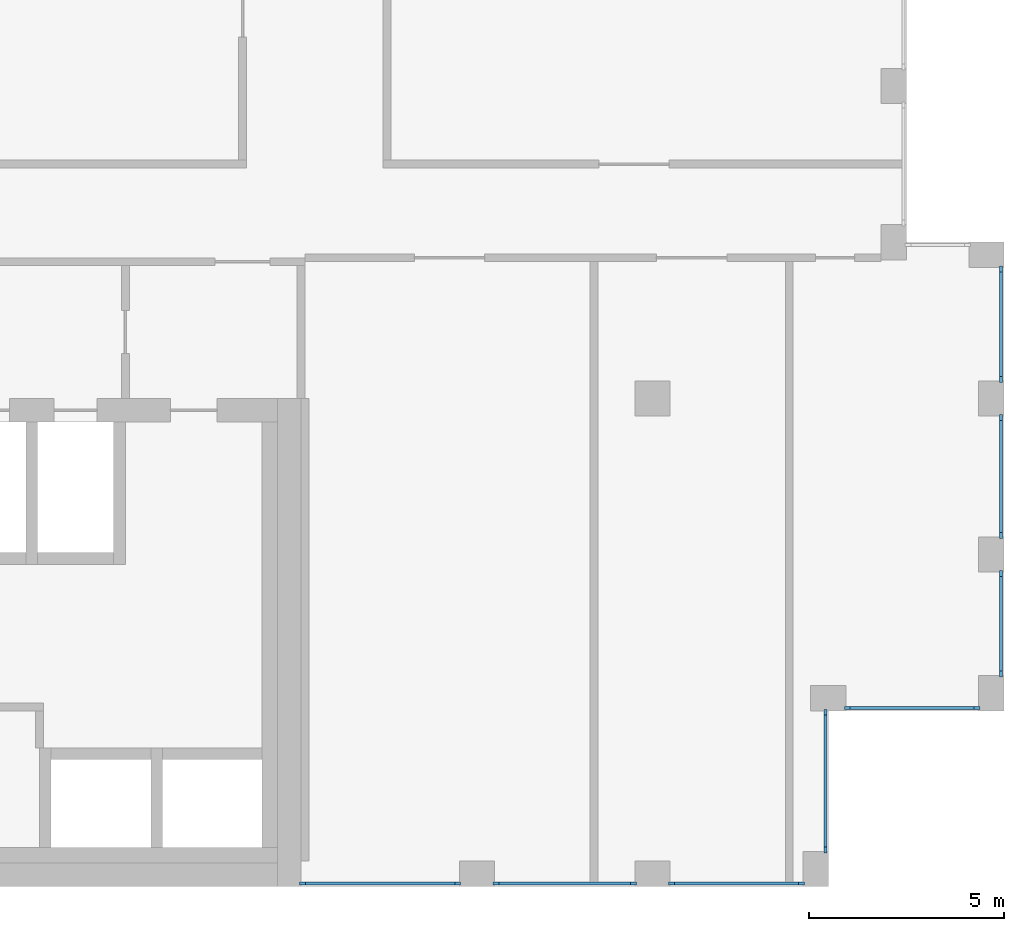
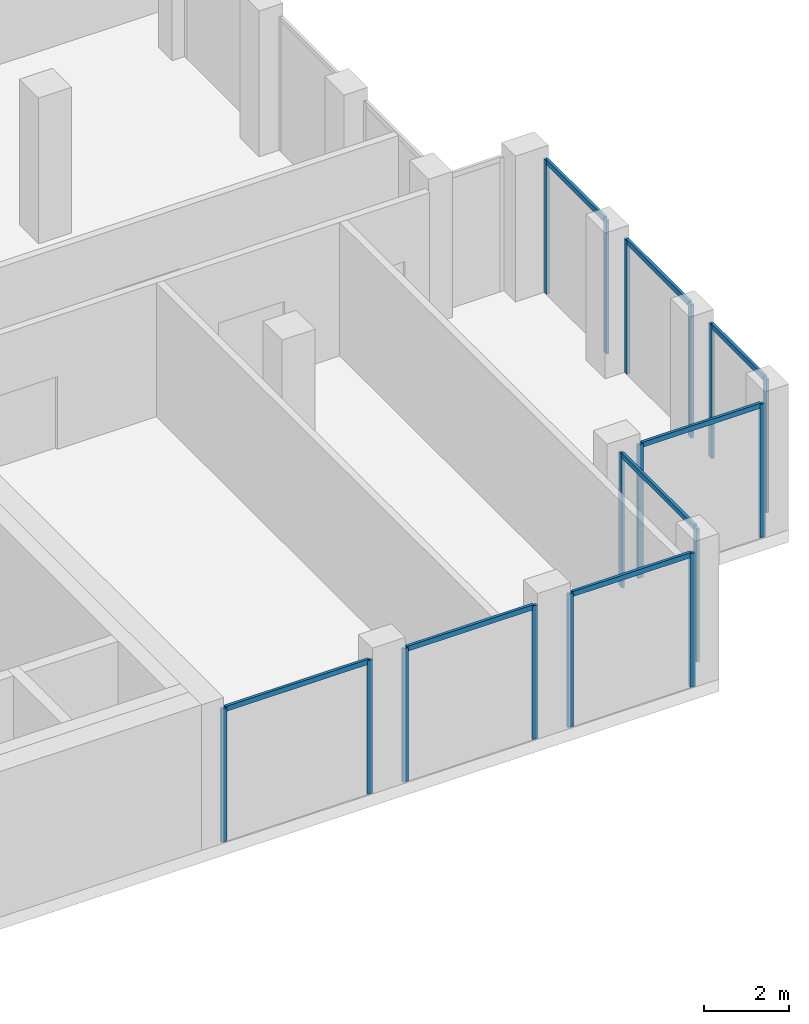
# One storey, part 4 of 15: 24 members, 8 elements without a shape of their own.
"""IFC4 building model written with IfcOpenShell, lengths in metres."""

from ifc_helpers import new_model, si_unit, direction, frame, origin, origin_2d, place, context, subcontext, project, spatial, rectangle, extrude, material, layer, layer_set, material_profile, profile_set, type_object, element, aggregate, save


model = new_model("IFC4")

# Units and contexts
model_context = context("Model", 3, precision=1e-05, world=origin(), true_north=direction((0.0, 1.0)))
body_context = subcontext(model_context, "Body", "Model", "MODEL_VIEW")
ifc_project = project(units=[si_unit("LENGTHUNIT", "METRE"), si_unit("AREAUNIT", "SQUARE_METRE"), si_unit("VOLUMEUNIT", "CUBIC_METRE"), si_unit("PLANEANGLEUNIT", "RADIAN"), si_unit("MASSUNIT", "GRAM", prefix="KILO")], contexts=[model_context])

# Site, building, storey
site_placement = place(None, origin())
site = spatial("IfcSite", under=ifc_project, at=site_placement, CompositionType="ELEMENT")
building_placement = place(site_placement, origin())
building = spatial("IfcBuilding", under=site, at=building_placement, Name="Brigalow Station Residences", CompositionType="ELEMENT")
storey_placement = place(building_placement, frame((0.0, 0.0, 235.800048828125)))
storey = spatial("IfcBuildingStorey", under=building, at=storey_placement, Name="L68", CompositionType="ELEMENT", Elevation=235.800048828125)

# Curtain wall, members
ifc_material_1 = material(Name="Aluminium", Category="aluminium")
ifc_layer = layer(ifc_material_1, 0.14990234375)
ifc_layer_set = layer_set([ifc_layer], Name="CROWN CURTAIN WALL")
curtain_wall_type = type_object("IfcCurtainWallType", Name="CROWN CURTAIN WALL", PredefinedType="NOTDEFINED", material=ifc_layer_set)
curtain_wall_1_placement = place(storey_placement, origin())
curtain_wall_1 = element("IfcCurtainWall", 1, at=curtain_wall_1_placement, inside=storey, type_object=curtain_wall_type, Name="L68/cw/crown-W-L68-3-2", PredefinedType="NOTDEFINED")
ifc_material_2 = material(Name="Aluminium", Category="aluminium")
ifc_material_profile_1 = material_profile(ifc_material_2, rectangle(XDim=0.074951171875, YDim=0.14990234375, at=origin_2d()), Name="CROWN MULLION 75x150")
ifc_profile_set_1 = profile_set([ifc_material_profile_1], Name="Aluminium")
member_type_1 = type_object("IfcMemberType", Name="CROWN MULLION 75x150", PredefinedType="MULLION", material=ifc_profile_set_1)
member_1_placement = place(storey_placement, frame((54.03759765625, 0.074951171875, 0.0), z_axis=(0.0, 0.0, 1.0), x_axis=(0.0, 1.0, 0.0)))
member_1 = element("IfcMember", 2, at=member_1_placement, type_object=member_type_1, Name="L68/cw/crown-W-L68-3-2/M00", PredefinedType="MULLION", context=body_context, shape_type="SweptSolid", body=[
    extrude(rectangle(XDim=0.074951171875, YDim=0.14990234375, at=origin_2d()), origin(), (0.0, 0.0, 1.0), 3.849853515625),
])
member_2_placement = place(storey_placement, frame((58.012451171875, 0.074951171875, 0.0), z_axis=(0.0, 0.0, 1.0), x_axis=(0.0, 1.0, 0.0)))
member_2 = element("IfcMember", 3, at=member_2_placement, type_object=member_type_1, Name="L68/cw/crown-W-L68-3-2/M01", PredefinedType="MULLION", context=body_context, shape_type="SweptSolid", body=[
    extrude(rectangle(XDim=0.074951171875, YDim=0.14990234375, at=origin_2d()), origin(), (0.0, 0.0, 1.0), 3.849853515625),
])

curtain_wall_2_placement = place(storey_placement, origin())
curtain_wall_2 = element("IfcCurtainWall", 4, at=curtain_wall_2_placement, inside=storey, type_object=curtain_wall_type, Name="L68/cw/crown-W-L68-3-3", PredefinedType="NOTDEFINED")
member_3_placement = place(storey_placement, frame((58.987548828125, 0.074951171875, 0.0), z_axis=(0.0, 0.0, 1.0), x_axis=(0.0, 1.0, 0.0)))
member_3 = element("IfcMember", 5, at=member_3_placement, type_object=member_type_1, Name="L68/cw/crown-W-L68-3-3/M00", PredefinedType="MULLION", context=body_context, shape_type="SweptSolid", body=[
    extrude(rectangle(XDim=0.074951171875, YDim=0.14990234375, at=origin_2d()), origin(), (0.0, 0.0, 1.0), 3.849853515625),
])
member_4_placement = place(storey_placement, frame((62.512451171875, 0.074951171875, 0.0), z_axis=(0.0, 0.0, 1.0), x_axis=(0.0, 1.0, 0.0)))
member_4 = element("IfcMember", 6, at=member_4_placement, type_object=member_type_1, Name="L68/cw/crown-W-L68-3-3/M01", PredefinedType="MULLION", context=body_context, shape_type="SweptSolid", body=[
    extrude(rectangle(XDim=0.074951171875, YDim=0.14990234375, at=origin_2d()), origin(), (0.0, 0.0, 1.0), 3.849853515625),
])

curtain_wall_3_placement = place(storey_placement, origin())
curtain_wall_3 = element("IfcCurtainWall", 7, at=curtain_wall_3_placement, inside=storey, type_object=curtain_wall_type, Name="L68/cw/crown-W-L68-3-4", PredefinedType="NOTDEFINED")
member_5_placement = place(storey_placement, frame((63.487548828125, 0.074951171875, 0.0), z_axis=(0.0, 0.0, 1.0), x_axis=(0.0, 1.0, 0.0)))
member_5 = element("IfcMember", 8, at=member_5_placement, type_object=member_type_1, Name="L68/cw/crown-W-L68-3-4/M00", PredefinedType="MULLION", context=body_context, shape_type="SweptSolid", body=[
    extrude(rectangle(XDim=0.074951171875, YDim=0.14990234375, at=origin_2d()), origin(), (0.0, 0.0, 1.0), 3.849853515625),
])
member_6_placement = place(storey_placement, frame((66.8125, 0.074951171875, 0.0), z_axis=(0.0, 0.0, 1.0), x_axis=(0.0, 1.0, 0.0)))
member_6 = element("IfcMember", 9, at=member_6_placement, type_object=member_type_1, Name="L68/cw/crown-W-L68-3-4/M01", PredefinedType="MULLION", context=body_context, shape_type="SweptSolid", body=[
    extrude(rectangle(XDim=0.074951171875, YDim=0.14990234375, at=origin_2d()), origin(), (0.0, 0.0, 1.0), 3.849853515625),
])

curtain_wall_4_placement = place(storey_placement, origin())
curtain_wall_4 = element("IfcCurtainWall", 10, at=curtain_wall_4_placement, inside=storey, type_object=curtain_wall_type, Name="L68/cw/crown-W-L68-6-5", PredefinedType="NOTDEFINED")
member_7_placement = place(storey_placement, frame((67.425048828125, 0.9375, 0.0), z_axis=(0.0, 0.0, 1.0), x_axis=(-1.0, 0.0, 0.0)))
member_7 = element("IfcMember", 11, at=member_7_placement, type_object=member_type_1, Name="L68/cw/crown-W-L68-6-5/M00", PredefinedType="MULLION", context=body_context, shape_type="SweptSolid", body=[
    extrude(rectangle(XDim=0.074951171875, YDim=0.14990234375, at=origin_2d()), origin(), (0.0, 0.0, 1.0), 3.849853515625),
])
member_8_placement = place(storey_placement, frame((67.425048828125, 4.46240234375, 0.0), z_axis=(0.0, 0.0, 1.0), x_axis=(-1.0, 0.0, 0.0)))
member_8 = element("IfcMember", 12, at=member_8_placement, type_object=member_type_1, Name="L68/cw/crown-W-L68-6-5/M01", PredefinedType="MULLION", context=body_context, shape_type="SweptSolid", body=[
    extrude(rectangle(XDim=0.074951171875, YDim=0.14990234375, at=origin_2d()), origin(), (0.0, 0.0, 1.0), 3.849853515625),
])

curtain_wall_5_placement = place(storey_placement, origin())
curtain_wall_5 = element("IfcCurtainWall", 13, at=curtain_wall_5_placement, inside=storey, type_object=curtain_wall_type, Name="L68/cw/crown-W-L68-7-6", PredefinedType="NOTDEFINED")
member_9_placement = place(storey_placement, frame((67.987548828125, 4.574951171875, 0.0), z_axis=(0.0, 0.0, 1.0), x_axis=(0.0, 1.0, 0.0)))
member_9 = element("IfcMember", 14, at=member_9_placement, type_object=member_type_1, Name="L68/cw/crown-W-L68-7-6/M00", PredefinedType="MULLION", context=body_context, shape_type="SweptSolid", body=[
    extrude(rectangle(XDim=0.074951171875, YDim=0.14990234375, at=origin_2d()), origin(), (0.0, 0.0, 1.0), 3.849853515625),
])
member_10_placement = place(storey_placement, frame((71.3125, 4.574951171875, 0.0), z_axis=(0.0, 0.0, 1.0), x_axis=(0.0, 1.0, 0.0)))
member_10 = element("IfcMember", 15, at=member_10_placement, type_object=member_type_1, Name="L68/cw/crown-W-L68-7-6/M01", PredefinedType="MULLION", context=body_context, shape_type="SweptSolid", body=[
    extrude(rectangle(XDim=0.074951171875, YDim=0.14990234375, at=origin_2d()), origin(), (0.0, 0.0, 1.0), 3.849853515625),
])

curtain_wall_6_placement = place(storey_placement, origin())
curtain_wall_6 = element("IfcCurtainWall", 16, at=curtain_wall_6_placement, inside=storey, type_object=curtain_wall_type, Name="L68/cw/crown-W-L68-8-7", PredefinedType="NOTDEFINED")
member_11_placement = place(storey_placement, frame((71.925048828125, 5.4375, 0.0), z_axis=(0.0, 0.0, 1.0), x_axis=(-1.0, 0.0, 0.0)))
member_11 = element("IfcMember", 17, at=member_11_placement, type_object=member_type_1, Name="L68/cw/crown-W-L68-8-7/M00", PredefinedType="MULLION", context=body_context, shape_type="SweptSolid", body=[
    extrude(rectangle(XDim=0.074951171875, YDim=0.14990234375, at=origin_2d()), origin(), (0.0, 0.0, 1.0), 3.849853515625),
])
member_12_placement = place(storey_placement, frame((71.925048828125, 8.012451171875, 0.0), z_axis=(0.0, 0.0, 1.0), x_axis=(-1.0, 0.0, 0.0)))
member_12 = element("IfcMember", 18, at=member_12_placement, type_object=member_type_1, Name="L68/cw/crown-W-L68-8-7/M01", PredefinedType="MULLION", context=body_context, shape_type="SweptSolid", body=[
    extrude(rectangle(XDim=0.074951171875, YDim=0.14990234375, at=origin_2d()), origin(), (0.0, 0.0, 1.0), 3.849853515625),
])

curtain_wall_7_placement = place(storey_placement, origin())
curtain_wall_7 = element("IfcCurtainWall", 19, at=curtain_wall_7_placement, inside=storey, type_object=curtain_wall_type, Name="L68/cw/crown-W-L68-8-8", PredefinedType="NOTDEFINED")
member_13_placement = place(storey_placement, frame((71.925048828125, 8.987548828125, 0.0), z_axis=(0.0, 0.0, 1.0), x_axis=(-1.0, 0.0, 0.0)))
member_13 = element("IfcMember", 20, at=member_13_placement, type_object=member_type_1, Name="L68/cw/crown-W-L68-8-8/M00", PredefinedType="MULLION", context=body_context, shape_type="SweptSolid", body=[
    extrude(rectangle(XDim=0.074951171875, YDim=0.14990234375, at=origin_2d()), origin(), (0.0, 0.0, 1.0), 3.849853515625),
])
member_14_placement = place(storey_placement, frame((71.925048828125, 12.012451171875, 0.0), z_axis=(0.0, 0.0, 1.0), x_axis=(-1.0, 0.0, 0.0)))
member_14 = element("IfcMember", 21, at=member_14_placement, type_object=member_type_1, Name="L68/cw/crown-W-L68-8-8/M01", PredefinedType="MULLION", context=body_context, shape_type="SweptSolid", body=[
    extrude(rectangle(XDim=0.074951171875, YDim=0.14990234375, at=origin_2d()), origin(), (0.0, 0.0, 1.0), 3.849853515625),
])

curtain_wall_8_placement = place(storey_placement, origin())
curtain_wall_8 = element("IfcCurtainWall", 22, at=curtain_wall_8_placement, inside=storey, type_object=curtain_wall_type, Name="L68/cw/crown-W-L68-8-9", PredefinedType="NOTDEFINED")
member_15_placement = place(storey_placement, frame((71.925048828125, 12.987548828125, 0.0), z_axis=(0.0, 0.0, 1.0), x_axis=(-1.0, 0.0, 0.0)))
member_15 = element("IfcMember", 23, at=member_15_placement, type_object=member_type_1, Name="L68/cw/crown-W-L68-8-9/M00", PredefinedType="MULLION", context=body_context, shape_type="SweptSolid", body=[
    extrude(rectangle(XDim=0.074951171875, YDim=0.14990234375, at=origin_2d()), origin(), (0.0, 0.0, 1.0), 3.849853515625),
])
member_16_placement = place(storey_placement, frame((71.925048828125, 15.8125, 0.0), z_axis=(0.0, 0.0, 1.0), x_axis=(-1.0, 0.0, 0.0)))
member_16 = element("IfcMember", 24, at=member_16_placement, type_object=member_type_1, Name="L68/cw/crown-W-L68-8-9/M01", PredefinedType="MULLION", context=body_context, shape_type="SweptSolid", body=[
    extrude(rectangle(XDim=0.074951171875, YDim=0.14990234375, at=origin_2d()), origin(), (0.0, 0.0, 1.0), 3.849853515625),
])

# Member
ifc_material_3 = material(Name="Aluminium", Category="aluminium")
ifc_material_profile_2 = material_profile(ifc_material_3, rectangle(XDim=0.074951171875, YDim=0.14990234375, at=origin_2d()), Name="CROWN TRANSOM 75x150")
ifc_profile_set_2 = profile_set([ifc_material_profile_2], Name="Aluminium")
member_type_2 = type_object("IfcMemberType", Name="CROWN TRANSOM 75x150", PredefinedType="USERDEFINED", material=ifc_profile_set_2)
member_17_placement = place(storey_placement, frame((54.074951171875, 0.074951171875, 3.8125), z_axis=(1.0, 0.0, 0.0), x_axis=(0.0, 1.0, 0.0)))
member_17 = element("IfcMember", 25, at=member_17_placement, type_object=member_type_2, Name="L68/cw/crown-W-L68-3-2/T00-00", ObjectType="TRANSOM", PredefinedType="USERDEFINED", context=body_context, shape_type="SweptSolid", body=[
    extrude(rectangle(XDim=0.074951171875, YDim=0.14990234375, at=origin_2d()), origin(), (0.0, 0.0, 1.0), 3.900146484375),
])

aggregate(curtain_wall_1, [member_1, member_2, member_17])

member_18_placement = place(storey_placement, frame((59.02490234375, 0.074951171875, 3.8125), z_axis=(1.0, 0.0, 0.0), x_axis=(0.0, 1.0, 0.0)))
member_18 = element("IfcMember", 26, at=member_18_placement, type_object=member_type_2, Name="L68/cw/crown-W-L68-3-3/T00-00", ObjectType="TRANSOM", PredefinedType="USERDEFINED", context=body_context, shape_type="SweptSolid", body=[
    extrude(rectangle(XDim=0.074951171875, YDim=0.14990234375, at=origin_2d()), origin(), (0.0, 0.0, 1.0), 3.4501953125),
])

aggregate(curtain_wall_2, [member_3, member_4, member_18])

member_19_placement = place(storey_placement, frame((63.52490234375, 0.074951171875, 3.8125), z_axis=(1.0, 0.0, 0.0), x_axis=(0.0, 1.0, 0.0)))
member_19 = element("IfcMember", 27, at=member_19_placement, type_object=member_type_2, Name="L68/cw/crown-W-L68-3-4/T00-00", ObjectType="TRANSOM", PredefinedType="USERDEFINED", context=body_context, shape_type="SweptSolid", body=[
    extrude(rectangle(XDim=0.074951171875, YDim=0.14990234375, at=origin_2d()), origin(), (0.0, 0.0, 1.0), 3.25),
])

aggregate(curtain_wall_3, [member_5, member_6, member_19])

member_20_placement = place(storey_placement, frame((67.425048828125, 0.97509765625, 3.8125), z_axis=(0.0, 1.0, 0.0), x_axis=(-1.0, 0.0, 0.0)))
member_20 = element("IfcMember", 28, at=member_20_placement, type_object=member_type_2, Name="L68/cw/crown-W-L68-6-5/T00-00", ObjectType="TRANSOM", PredefinedType="USERDEFINED", context=body_context, shape_type="SweptSolid", body=[
    extrude(rectangle(XDim=0.074951171875, YDim=0.14990234375, at=origin_2d()), origin(), (0.0, 0.0, 1.0), 3.449951171875),
])

aggregate(curtain_wall_4, [member_7, member_8, member_20])

member_21_placement = place(storey_placement, frame((68.02490234375, 4.574951171875, 3.8125), z_axis=(1.0, 0.0, 0.0), x_axis=(0.0, 1.0, 0.0)))
member_21 = element("IfcMember", 29, at=member_21_placement, type_object=member_type_2, Name="L68/cw/crown-W-L68-7-6/T00-00", ObjectType="TRANSOM", PredefinedType="USERDEFINED", context=body_context, shape_type="SweptSolid", body=[
    extrude(rectangle(XDim=0.074951171875, YDim=0.14990234375, at=origin_2d()), origin(), (0.0, 0.0, 1.0), 3.25),
])

aggregate(curtain_wall_5, [member_9, member_10, member_21])

member_22_placement = place(storey_placement, frame((71.925048828125, 5.47509765625, 3.8125), z_axis=(0.0, 1.0, 0.0), x_axis=(-1.0, 0.0, 0.0)))
member_22 = element("IfcMember", 30, at=member_22_placement, type_object=member_type_2, Name="L68/cw/crown-W-L68-8-7/T00-00", ObjectType="TRANSOM", PredefinedType="USERDEFINED", context=body_context, shape_type="SweptSolid", body=[
    extrude(rectangle(XDim=0.074951171875, YDim=0.14990234375, at=origin_2d()), origin(), (0.0, 0.0, 1.0), 2.5),
])

aggregate(curtain_wall_6, [member_11, member_12, member_22])

member_23_placement = place(storey_placement, frame((71.925048828125, 9.02490234375, 3.8125), z_axis=(0.0, 1.0, 0.0), x_axis=(-1.0, 0.0, 0.0)))
member_23 = element("IfcMember", 31, at=member_23_placement, type_object=member_type_2, Name="L68/cw/crown-W-L68-8-8/T00-00", ObjectType="TRANSOM", PredefinedType="USERDEFINED", context=body_context, shape_type="SweptSolid", body=[
    extrude(rectangle(XDim=0.074951171875, YDim=0.14990234375, at=origin_2d()), origin(), (0.0, 0.0, 1.0), 2.9501953125),
])

aggregate(curtain_wall_7, [member_13, member_14, member_23])

member_24_placement = place(storey_placement, frame((71.925048828125, 13.02490234375, 3.8125), z_axis=(0.0, 1.0, 0.0), x_axis=(-1.0, 0.0, 0.0)))
member_24 = element("IfcMember", 32, at=member_24_placement, type_object=member_type_2, Name="L68/cw/crown-W-L68-8-9/T00-00", ObjectType="TRANSOM", PredefinedType="USERDEFINED", context=body_context, shape_type="SweptSolid", body=[
    extrude(rectangle(XDim=0.074951171875, YDim=0.14990234375, at=origin_2d()), origin(), (0.0, 0.0, 1.0), 2.75),
])

aggregate(curtain_wall_8, [member_15, member_16, member_24])

save(model, "model.ifc")
